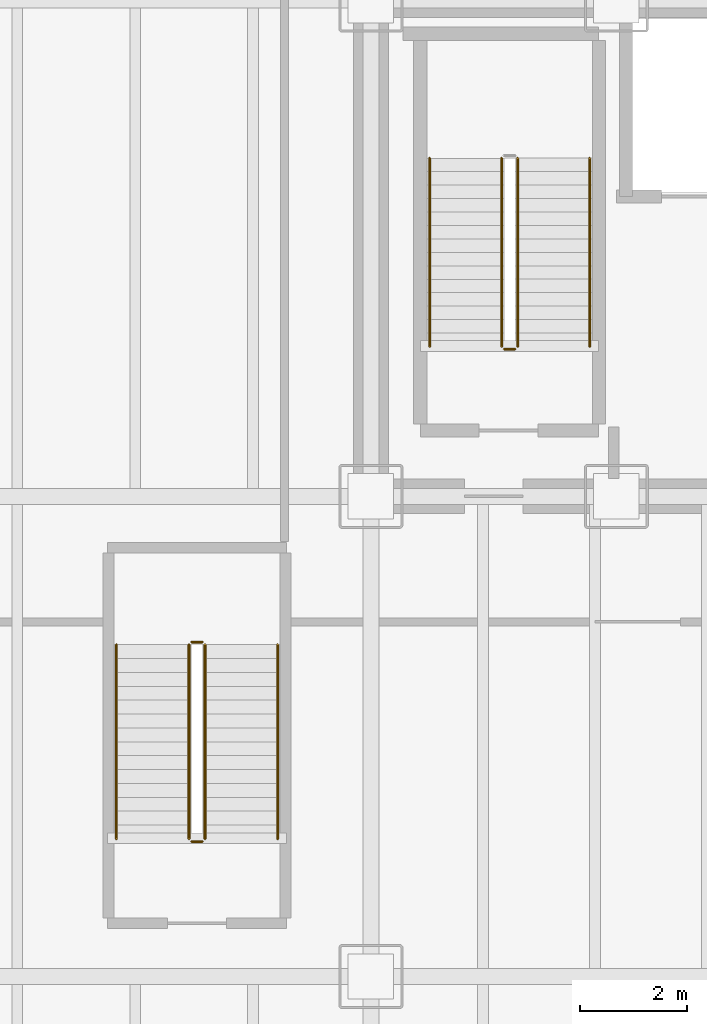
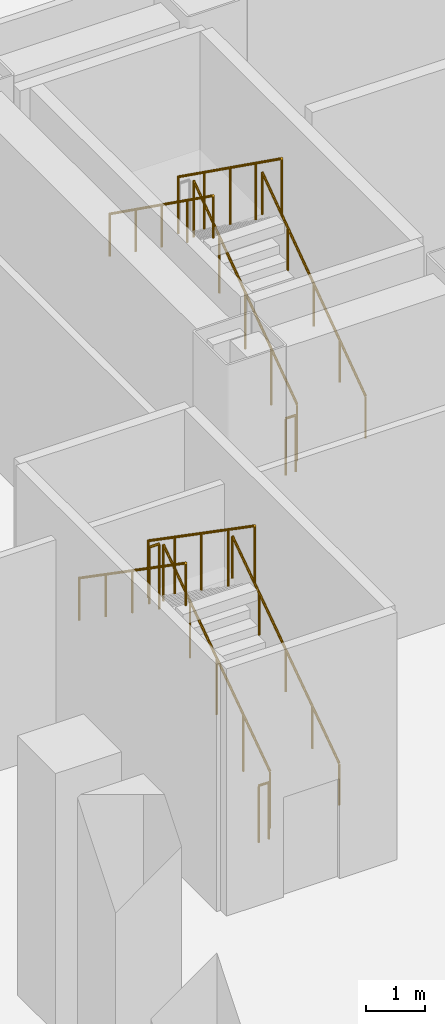
# One storey, part 25 of 32: 11 railings.
"""IFC4 building model written with IfcOpenShell, lengths in metres."""

from ifc_helpers import new_model, si_unit, direction, frame, origin, origin_2d, place, context, subcontext, project, spatial, circle, extrude, material, layer, layer_set, type_object, element, save


model = new_model("IFC4")

# Units and contexts
model_context = context("Model", 3, precision=1e-05, world=origin(), true_north=direction((0.0, 1.0)))
body_context = subcontext(model_context, "Body", "Model", "MODEL_VIEW")
ifc_project = project(units=[si_unit("LENGTHUNIT", "METRE"), si_unit("AREAUNIT", "SQUARE_METRE"), si_unit("VOLUMEUNIT", "CUBIC_METRE"), si_unit("PLANEANGLEUNIT", "RADIAN"), si_unit("MASSUNIT", "GRAM", prefix="KILO")], contexts=[model_context])

# Site, building, storey
site_placement = place(None, origin())
site = spatial("IfcSite", under=ifc_project, at=site_placement, CompositionType="ELEMENT")
building_placement = place(site_placement, origin())
building = spatial("IfcBuilding", under=site, at=building_placement, Name="Noeulbin Bourse Tower", CompositionType="ELEMENT")
storey_placement = place(building_placement, frame((0.0, 0.0, 5.800048828125)))
storey = spatial("IfcBuildingStorey", under=building, at=storey_placement, Name="L02", CompositionType="ELEMENT", Elevation=5.800048828125)

# Railings
ifc_material_1 = material(Name="Painted Tubular Steel S355", Category="steel")
ifc_layer_1 = layer(ifc_material_1, 0.048095703125)
ifc_layer_set_1 = layer_set([ifc_layer_1], Name="Painted Tubular Steel S355")
railing_type_1 = type_object("IfcRailingType", Name="RLG-STR-GRD", PredefinedType="GUARDRAIL", material=ifc_layer_set_1)
railing_1_placement = place(storey_placement, frame((16.25, 31.81005859375, 0.179931640625)))
element("IfcRailing", 1, at=railing_1_placement, inside=storey, type_object=railing_type_1, Name="L02 ST-1 stair guard 1", PredefinedType="GUARDRAIL", context=body_context, shape_type="SweptSolid", body=[
    extrude(circle(Radius=0.02392578125, at=origin_2d()), frame((0.0, 0.0, 1.17578125), z_axis=(0.0, 0.813718251284, 0.581259501021), x_axis=(-1.0, 0.0, 0.0)), (0.0, 0.0, 1.0), 4.33544921875),
    extrude(circle(Radius=0.02099609375, at=origin_2d()), origin(), (0.0, 0.0, 1.0), 1.15185546875),
    extrude(circle(Radius=0.02099609375, at=origin_2d()), frame((0.0, 0.8818359375, 0.6298828125)), (0.0, 0.0, 1.0), 1.15185546875),
    extrude(circle(Radius=0.02099609375, at=origin_2d()), frame((0.0, 1.763916015625, 1.260009765625)), (0.0, 0.0, 1.0), 1.15185546875),
    extrude(circle(Radius=0.02099609375, at=origin_2d()), frame((0.0, 2.64599609375, 1.89013671875)), (0.0, 0.0, 1.0), 1.15185546875),
    extrude(circle(Radius=0.02099609375, at=origin_2d()), frame((0.0, 3.52783203125, 2.52001953125)), (0.0, 0.0, 1.0), 1.15185546875),
])
railing_2_placement = place(storey_placement, frame((15.949951171875, 35.337890625, 2.8798828125)))
element("IfcRailing", 2, at=railing_2_placement, inside=storey, type_object=railing_type_1, Name="L02 ST-1 stair guard 3", PredefinedType="GUARDRAIL", context=body_context, shape_type="SweptSolid", body=[
    extrude(circle(Radius=0.02392578125, at=origin_2d()), frame((0.0, 0.0, 1.17578125), z_axis=(0.0, -0.813718251284, 0.581259501021), x_axis=(1.0, 0.0, 0.0)), (0.0, 0.0, 1.0), 4.33544921875),
    extrude(circle(Radius=0.02099609375, at=origin_2d()), origin(), (0.0, 0.0, 1.0), 1.15185546875),
    extrude(circle(Radius=0.02099609375, at=origin_2d()), frame((0.0, -0.8818359375, 0.6298828125)), (0.0, 0.0, 1.0), 1.15185546875),
    extrude(circle(Radius=0.02099609375, at=origin_2d()), frame((0.0, -1.763916015625, 1.260009765625)), (0.0, 0.0, 1.0), 1.15185546875),
    extrude(circle(Radius=0.02099609375, at=origin_2d()), frame((0.0, -2.64599609375, 1.89013671875)), (0.0, 0.0, 1.0), 1.15185546875),
    extrude(circle(Radius=0.02099609375, at=origin_2d()), frame((0.0, -3.52783203125, 2.52001953125)), (0.0, 0.0, 1.0), 1.15185546875),
])
railing_3_placement = place(storey_placement, frame((16.199951171875, 31.760009765625, 0.0)))
element("IfcRailing", 3, at=railing_3_placement, inside=storey, type_object=railing_type_1, Name="L02 ST-1 stair guard 4", PredefinedType="GUARDRAIL", context=body_context, shape_type="SweptSolid", body=[
    extrude(circle(Radius=0.02392578125, at=origin_2d()), frame((0.0, 0.0, 1.17578125), z_axis=(-1.0, 0.0, 0.0), x_axis=(0.0, -1.0, 0.0)), (0.0, 0.0, 1.0), 0.199951171875),
    extrude(circle(Radius=0.02099609375, at=origin_2d()), origin(), (0.0, 0.0, 1.0), 1.15185546875),
    extrude(circle(Radius=0.02099609375, at=origin_2d()), frame((-0.199951171875, 0.0, 0.0)), (0.0, 0.0, 1.0), 1.15185546875),
])
railing_4_placement = place(storey_placement, frame((10.389892578125, 22.580078125, 0.179931640625)))
element("IfcRailing", 4, at=railing_4_placement, inside=storey, type_object=railing_type_1, Name="L02 ST-P1 stair guard 1", PredefinedType="GUARDRAIL", context=body_context, shape_type="SweptSolid", body=[
    extrude(circle(Radius=0.02392578125, at=origin_2d()), frame((0.0, 0.0, 1.17578125), z_axis=(0.0, 0.822182265111, 0.569224316888), x_axis=(-1.0, 0.0, 0.0)), (0.0, 0.0, 1.0), 4.427001953125),
    extrude(circle(Radius=0.02099609375, at=origin_2d()), origin(), (0.0, 0.0, 1.0), 1.15185546875),
    extrude(circle(Radius=0.02099609375, at=origin_2d()), frame((0.0, 0.909912109375, 0.6298828125)), (0.0, 0.0, 1.0), 1.15185546875),
    extrude(circle(Radius=0.02099609375, at=origin_2d()), frame((0.0, 1.81982421875, 1.260009765625)), (0.0, 0.0, 1.0), 1.15185546875),
    extrude(circle(Radius=0.02099609375, at=origin_2d()), frame((0.0, 2.72998046875, 1.89013671875)), (0.0, 0.0, 1.0), 1.15185546875),
    extrude(circle(Radius=0.02099609375, at=origin_2d()), frame((0.0, 3.639892578125, 2.52001953125)), (0.0, 0.0, 1.0), 1.15185546875),
])
railing_5_placement = place(storey_placement, frame((10.340087890625, 26.27001953125, 2.699951171875)))
element("IfcRailing", 5, at=railing_5_placement, inside=storey, type_object=railing_type_1, Name="L02 ST-P1 stair guard 2", PredefinedType="GUARDRAIL", context=body_context, shape_type="SweptSolid", body=[
    extrude(circle(Radius=0.02392578125, at=origin_2d()), frame((0.0, 0.0, 1.17578125), z_axis=(-1.0, 0.0, 0.0), x_axis=(0.0, -1.0, 0.0)), (0.0, 0.0, 1.0), 0.2001953125),
    extrude(circle(Radius=0.02099609375, at=origin_2d()), origin(), (0.0, 0.0, 1.0), 1.15185546875),
    extrude(circle(Radius=0.02099609375, at=origin_2d()), frame((-0.2001953125, 0.0, 0.0)), (0.0, 0.0, 1.0), 1.15185546875),
])
railing_6_placement = place(storey_placement, frame((10.090087890625, 26.219970703125, 2.8798828125)))
element("IfcRailing", 6, at=railing_6_placement, inside=storey, type_object=railing_type_1, Name="L02 ST-P1 stair guard 3", PredefinedType="GUARDRAIL", context=body_context, shape_type="SweptSolid", body=[
    extrude(circle(Radius=0.02392578125, at=origin_2d()), frame((0.0, 0.0, 1.17578125), z_axis=(0.0, -0.822182265111, 0.569224316888), x_axis=(1.0, 0.0, 0.0)), (0.0, 0.0, 1.0), 4.427001953125),
    extrude(circle(Radius=0.02099609375, at=origin_2d()), origin(), (0.0, 0.0, 1.0), 1.15185546875),
    extrude(circle(Radius=0.02099609375, at=origin_2d()), frame((0.0, -0.909912109375, 0.6298828125)), (0.0, 0.0, 1.0), 1.15185546875),
    extrude(circle(Radius=0.02099609375, at=origin_2d()), frame((0.0, -1.81982421875, 1.260009765625)), (0.0, 0.0, 1.0), 1.15185546875),
    extrude(circle(Radius=0.02099609375, at=origin_2d()), frame((0.0, -2.72998046875, 1.89013671875)), (0.0, 0.0, 1.0), 1.15185546875),
    extrude(circle(Radius=0.02099609375, at=origin_2d()), frame((0.0, -3.639892578125, 2.52001953125)), (0.0, 0.0, 1.0), 1.15185546875),
])
railing_7_placement = place(storey_placement, frame((10.340087890625, 22.530029296875, 0.0)))
element("IfcRailing", 7, at=railing_7_placement, inside=storey, type_object=railing_type_1, Name="L02 ST-P1 stair guard 4", PredefinedType="GUARDRAIL", context=body_context, shape_type="SweptSolid", body=[
    extrude(circle(Radius=0.02392578125, at=origin_2d()), frame((0.0, 0.0, 1.17578125), z_axis=(-1.0, 0.0, 0.0), x_axis=(0.0, -1.0, 0.0)), (0.0, 0.0, 1.0), 0.2001953125),
    extrude(circle(Radius=0.02099609375, at=origin_2d()), origin(), (0.0, 0.0, 1.0), 1.15185546875),
    extrude(circle(Radius=0.02099609375, at=origin_2d()), frame((-0.2001953125, 0.0, 0.0)), (0.0, 0.0, 1.0), 1.15185546875),
])
ifc_material_2 = material(Name="Brushed Stainless Steel 316", Category="steel")
ifc_layer_2 = layer(ifc_material_2, 0.048095703125)
ifc_layer_set_2 = layer_set([ifc_layer_2], Name="Brushed Stainless Steel 316")
railing_type_2 = type_object("IfcRailingType", Name="RLG-STR-HND", PredefinedType="HANDRAIL", material=ifc_layer_set_2)
railing_8_placement = place(storey_placement, frame((17.60009765625, 31.81005859375, 0.179931640625)))
element("IfcRailing", 8, at=railing_8_placement, inside=storey, type_object=railing_type_2, Name="L02 ST-1 stair handrail 1", PredefinedType="HANDRAIL", context=body_context, shape_type="SweptSolid", body=[
    extrude(circle(Radius=0.02392578125, at=origin_2d()), frame((0.0, 0.0, 0.8759765625), z_axis=(0.0, 0.813718251284, 0.581259501021), x_axis=(-1.0, 0.0, 0.0)), (0.0, 0.0, 1.0), 4.33544921875),
    extrude(circle(Radius=0.02099609375, at=origin_2d()), origin(), (0.0, 0.0, 1.0), 0.851806640625),
    extrude(circle(Radius=0.02099609375, at=origin_2d()), frame((0.0, 0.8818359375, 0.6298828125)), (0.0, 0.0, 1.0), 0.851806640625),
    extrude(circle(Radius=0.02099609375, at=origin_2d()), frame((0.0, 1.763916015625, 1.260009765625)), (0.0, 0.0, 1.0), 0.851806640625),
    extrude(circle(Radius=0.02099609375, at=origin_2d()), frame((0.0, 2.64599609375, 1.89013671875)), (0.0, 0.0, 1.0), 0.851806640625),
    extrude(circle(Radius=0.02099609375, at=origin_2d()), frame((0.0, 3.52783203125, 2.52001953125)), (0.0, 0.0, 1.0), 0.851806640625),
])
railing_9_placement = place(storey_placement, frame((14.60009765625, 35.337890625, 2.8798828125)))
element("IfcRailing", 9, at=railing_9_placement, inside=storey, type_object=railing_type_2, Name="L02 ST-1 stair handrail 2", PredefinedType="HANDRAIL", context=body_context, shape_type="SweptSolid", body=[
    extrude(circle(Radius=0.02392578125, at=origin_2d()), frame((0.0, 0.0, 0.8759765625), z_axis=(0.0, -0.813718251284, 0.581259501021), x_axis=(1.0, 0.0, 0.0)), (0.0, 0.0, 1.0), 4.33544921875),
    extrude(circle(Radius=0.02099609375, at=origin_2d()), origin(), (0.0, 0.0, 1.0), 0.851806640625),
    extrude(circle(Radius=0.02099609375, at=origin_2d()), frame((0.0, -0.8818359375, 0.6298828125)), (0.0, 0.0, 1.0), 0.851806640625),
    extrude(circle(Radius=0.02099609375, at=origin_2d()), frame((0.0, -1.763916015625, 1.260009765625)), (0.0, 0.0, 1.0), 0.851806640625),
    extrude(circle(Radius=0.02099609375, at=origin_2d()), frame((0.0, -2.64599609375, 1.89013671875)), (0.0, 0.0, 1.0), 0.851806640625),
    extrude(circle(Radius=0.02099609375, at=origin_2d()), frame((0.0, -3.52783203125, 2.52001953125)), (0.0, 0.0, 1.0), 0.851806640625),
])
railing_10_placement = place(storey_placement, frame((11.75, 22.580078125, 0.179931640625)))
element("IfcRailing", 10, at=railing_10_placement, inside=storey, type_object=railing_type_2, Name="L02 ST-P1 stair handrail 1", PredefinedType="HANDRAIL", context=body_context, shape_type="SweptSolid", body=[
    extrude(circle(Radius=0.02392578125, at=origin_2d()), frame((0.0, 0.0, 0.8759765625), z_axis=(0.0, 0.822182265111, 0.569224316888), x_axis=(-1.0, 0.0, 0.0)), (0.0, 0.0, 1.0), 4.427001953125),
    extrude(circle(Radius=0.02099609375, at=origin_2d()), origin(), (0.0, 0.0, 1.0), 0.851806640625),
    extrude(circle(Radius=0.02099609375, at=origin_2d()), frame((0.0, 0.909912109375, 0.6298828125)), (0.0, 0.0, 1.0), 0.851806640625),
    extrude(circle(Radius=0.02099609375, at=origin_2d()), frame((0.0, 1.81982421875, 1.260009765625)), (0.0, 0.0, 1.0), 0.851806640625),
    extrude(circle(Radius=0.02099609375, at=origin_2d()), frame((0.0, 2.72998046875, 1.89013671875)), (0.0, 0.0, 1.0), 0.851806640625),
    extrude(circle(Radius=0.02099609375, at=origin_2d()), frame((0.0, 3.639892578125, 2.52001953125)), (0.0, 0.0, 1.0), 0.851806640625),
])
railing_11_placement = place(storey_placement, frame((8.72998046875, 26.219970703125, 2.8798828125)))
element("IfcRailing", 11, at=railing_11_placement, inside=storey, type_object=railing_type_2, Name="L02 ST-P1 stair handrail 2", PredefinedType="HANDRAIL", context=body_context, shape_type="SweptSolid", body=[
    extrude(circle(Radius=0.02392578125, at=origin_2d()), frame((0.0, 0.0, 0.8759765625), z_axis=(0.0, -0.822182265111, 0.569224316888), x_axis=(1.0, 0.0, 0.0)), (0.0, 0.0, 1.0), 4.427001953125),
    extrude(circle(Radius=0.02099609375, at=origin_2d()), origin(), (0.0, 0.0, 1.0), 0.851806640625),
    extrude(circle(Radius=0.02099609375, at=origin_2d()), frame((0.0, -0.909912109375, 0.6298828125)), (0.0, 0.0, 1.0), 0.851806640625),
    extrude(circle(Radius=0.02099609375, at=origin_2d()), frame((0.0, -1.81982421875, 1.260009765625)), (0.0, 0.0, 1.0), 0.851806640625),
    extrude(circle(Radius=0.02099609375, at=origin_2d()), frame((0.0, -2.72998046875, 1.89013671875)), (0.0, 0.0, 1.0), 0.851806640625),
    extrude(circle(Radius=0.02099609375, at=origin_2d()), frame((0.0, -3.639892578125, 2.52001953125)), (0.0, 0.0, 1.0), 0.851806640625),
])

save(model, "model.ifc")
